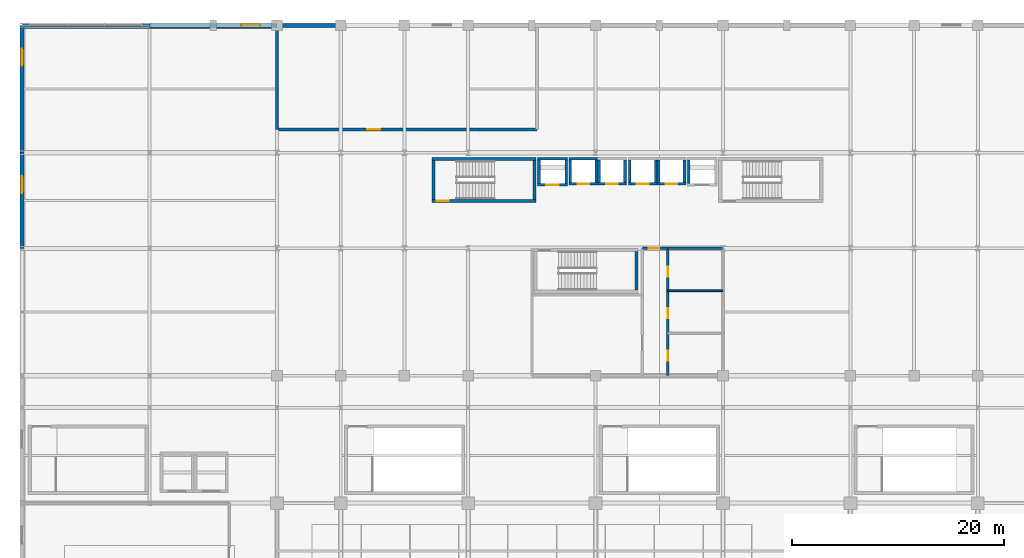
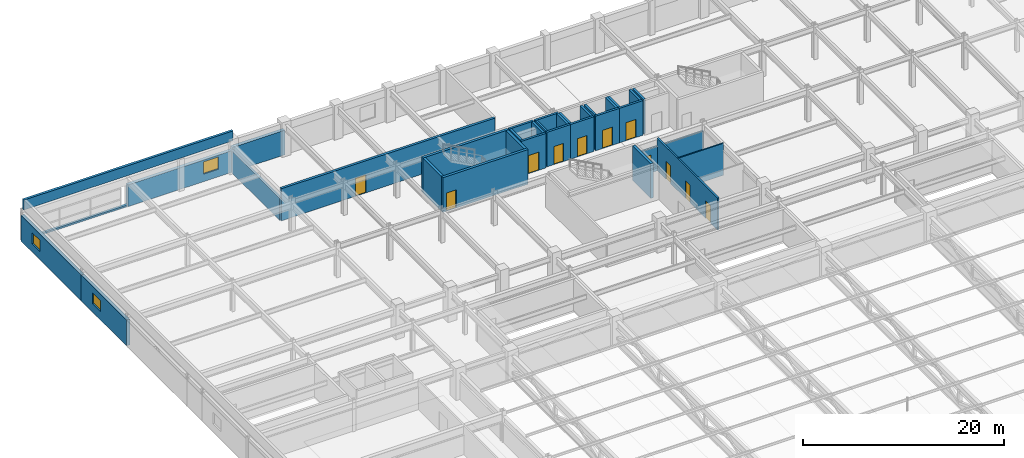
# One storey, part 94 of 108: 35 walls, 11 doors, 3 windows, 14 openings.
"""IFC4 building model written with IfcOpenShell, lengths in metres."""

from ifc_helpers import new_model, si_unit, direction, frame, frame_2d, origin, place, context, subcontext, project, spatial, rectangle, extrude, material, layer, layer_set, type_object, element, fill, save


model = new_model("IFC4")

# Units and contexts
model_context = context("Model", 3, precision=1e-05, world=origin(), true_north=direction((0.0, 1.0)))
body_context = subcontext(model_context, "Body", "Model", "MODEL_VIEW")
ifc_project = project(units=[si_unit("LENGTHUNIT", "METRE"), si_unit("AREAUNIT", "SQUARE_METRE"), si_unit("VOLUMEUNIT", "CUBIC_METRE"), si_unit("PLANEANGLEUNIT", "RADIAN"), si_unit("MASSUNIT", "GRAM", prefix="KILO")], contexts=[model_context])

# Site, building, storey
site_placement = place(None, origin())
site = spatial("IfcSite", under=ifc_project, at=site_placement, CompositionType="ELEMENT")
building_placement = place(site_placement, origin())
building = spatial("IfcBuilding", under=site, at=building_placement, Name="Kaldorvane Square Convention Centre", CompositionType="ELEMENT")
storey_placement = place(building_placement, frame((0.0, 0.0, 23.399993896484375)))
storey = spatial("IfcBuildingStorey", under=building, at=storey_placement, Name="L04", CompositionType="ELEMENT", Elevation=23.399993896484375)

# Wall, opening, door
ifc_material_1 = material(Name="Reinforced Concrete Masonry Acoustic Partition", Category="masonry")
ifc_layer_1 = layer(ifc_material_1, 0.279998779296875)
ifc_layer_set_1 = layer_set([ifc_layer_1], Name="Reinforced Concrete Masonry Acoustic Partition")
wall_type_1 = type_object("IfcWallType", Name="WL-ACO-280", PredefinedType="PARTITIONING", material=ifc_layer_set_1)
wall_1_placement = place(storey_placement, frame((24.0, 107.19999694824219, 0.0), z_axis=(0.0, 0.0, 1.0), x_axis=(1.0, 0.0, 0.0)))
wall_1 = element("IfcWall", 1, at=wall_1_placement, inside=storey, type_object=wall_type_1, Name="Hotel Transfer Mechanical Plant Room S Wall", PredefinedType="PARTITIONING", context=body_context, shape_type="SweptSolid", body=[
    extrude(rectangle(XDim=24.5, YDim=0.279998779296875, at=frame_2d((12.25, 0.0))), origin(), (0.0, 0.0, 1.0), 3.8899993896484375),
])
opening_1_placement = place(wall_1_placement, frame((8.5, 0.0, 0.0)))
opening_1 = element("IfcOpeningElement", 2, at=opening_1_placement, cuts=wall_1, Name="Opening ID-14", PredefinedType="OPENING", context=body_context, shape_type="SweptSolid", body=[
    extrude(rectangle(XDim=1.1999969482421875, YDim=2.1999969482421875, at=frame_2d((0.600006103515625, 1.100006103515625))), frame((0.0, 0.154998779296875, 0.0), z_axis=(0.0, -1.0, 0.0), x_axis=(1.0, 0.0, 0.0)), (0.0, 0.0, 1.0), 0.30999755859375),
])
ifc_material_2 = material(Name="Insulated Hollow Metal Steel", Category="steel")
door_type_1 = type_object("IfcDoorType", Name="DR-PLANT-1200X2200", OperationType="SINGLE_SWING_LEFT", PredefinedType="DOOR", material=ifc_material_2)
door_1_placement = place(opening_1_placement, origin())
door_1 = element("IfcDoor", 3, at=door_1_placement, inside=storey, type_object=door_type_1, Name="Hotel Transfer Mechanical Plant Room Door 1", OperationType="SINGLE_SWING_LEFT", OverallHeight=2.1999969482421875, OverallWidth=1.1999969482421875, PredefinedType="DOOR", context=body_context, shape_type="SweptSolid", body=[
    extrude(rectangle(XDim=1.1999969482421875, YDim=2.1999969482421875, at=frame_2d((0.600006103515625, 1.100006103515625))), frame((0.0, 0.024993896484375, 0.0), z_axis=(0.0, -1.0, 0.0), x_axis=(1.0, 0.0, 0.0)), (0.0, 0.0, 1.0), 0.0500030517578125),
])
fill(opening_1, door_1)

# Wall
wall_2_placement = place(storey_placement, frame((24.0, 116.80999755859375, 0.0), z_axis=(0.0, 0.0, 1.0), x_axis=(0.0, -1.0, 0.0)))
element("IfcWall", 4, at=wall_2_placement, inside=storey, type_object=wall_type_1, Name="Hotel Transfer Mechanical Plant Room W Wall", PredefinedType="PARTITIONING", context=body_context, shape_type="SweptSolid", body=[
    extrude(rectangle(XDim=9.610000610351562, YDim=0.279998779296875, at=frame_2d((4.80499267578125, 0.0))), origin(), (0.0, 0.0, 1.0), 2.6800079345703125),
])

# Wall, opening, door
ifc_material_3 = material(Name="Fire-Rated Gypsum Board on Acoustic Steel Studs", Category="steel")
ifc_layer_2 = layer(ifc_material_3, 0.1999969482421875)
ifc_layer_set_2 = layer_set([ifc_layer_2], Name="Fire-Rated Gypsum Board on Acoustic Steel Studs")
wall_type_2 = type_object("IfcWallType", Name="WL-CORR-200", PredefinedType="PARTITIONING", material=ifc_layer_set_2)
wall_3_placement = place(storey_placement, frame((58.399993896484375, 96.0, 0.0), z_axis=(0.0, 0.0, 1.0), x_axis=(1.0, 0.0, 0.0)))
wall_3 = element("IfcWall", 5, at=wall_3_placement, inside=storey, type_object=wall_type_2, Name="Restroom Vestibule Entry Header (L04)", PredefinedType="PARTITIONING", context=body_context, shape_type="SweptSolid", body=[
    extrude(rectangle(XDim=2.4000091552734375, YDim=0.1999969482421875, at=frame_2d((1.20001220703125, 0.0))), origin(), (0.0, 0.0, 1.0), 2.9589996337890625),
])
opening_2_placement = place(wall_3_placement, frame((0.625, 0.0, 0.0)))
opening_2 = element("IfcOpeningElement", 6, at=opening_2_placement, cuts=wall_3, Name="Opening ID-13", PredefinedType="OPENING", context=body_context, shape_type="SweptSolid", body=[
    extrude(rectangle(XDim=0.9499969482421875, YDim=2.149993896484375, at=frame_2d((0.475006103515625, 1.0749969482421875))), frame((0.0, 0.114990234375, 0.0), z_axis=(0.0, -1.0, 0.0), x_axis=(1.0, 0.0, 0.0)), (0.0, 0.0, 1.0), 0.2299957275390625),
])
ifc_material_4 = material(Name="Architectural Solid-Core White Oak")
door_type_2 = type_object("IfcDoorType", Name="DR-WC-0950X2150", OperationType="SINGLE_SWING_LEFT", PredefinedType="DOOR", material=ifc_material_4)
door_2_placement = place(opening_2_placement, origin())
door_2 = element("IfcDoor", 7, at=door_2_placement, inside=storey, type_object=door_type_2, Name="Restroom Vestibule Door (L04)", OperationType="SINGLE_SWING_LEFT", OverallHeight=2.149993896484375, OverallWidth=0.9499969482421875, PredefinedType="DOOR", context=body_context, shape_type="SweptSolid", body=[
    extrude(rectangle(XDim=0.9499969482421875, YDim=2.149993896484375, at=frame_2d((0.475006103515625, 1.0749969482421875))), frame((0.0, 0.024993896484375, 0.0), z_axis=(0.0, -1.0, 0.0), x_axis=(1.0, 0.0, 0.0)), (0.0, 0.0, 1.0), 0.0500030517578125),
])
fill(opening_2, door_2)

# Wall, openings, doors
wall_4_placement = place(storey_placement, frame((60.80000305175781, 84.0, 0.0), z_axis=(0.0, 0.0, 1.0), x_axis=(0.0, 1.0, 0.0)))
wall_4 = element("IfcWall", 8, at=wall_4_placement, inside=storey, type_object=wall_type_2, Name="Restroom Vestibule East Wall (L04)", PredefinedType="PARTITIONING", context=body_context, shape_type="SweptSolid", body=[
    extrude(rectangle(XDim=12.0, YDim=0.1999969482421875, at=frame_2d((6.0, 0.0))), origin(), (0.0, 0.0, 1.0), 3.8899993896484375),
])
opening_3_placement = place(wall_4_placement, frame((1.399993896484375, 0.0, 0.0)))
opening_3 = element("IfcOpeningElement", 9, at=opening_3_placement, cuts=wall_4, Name="Opening ID-13", PredefinedType="OPENING", context=body_context, shape_type="SweptSolid", body=[
    extrude(rectangle(XDim=0.9499969482421875, YDim=2.149993896484375, at=frame_2d((0.475006103515625, 1.0749969482421875))), frame((0.0, 0.114990234375, 0.0), z_axis=(0.0, -1.0, 0.0), x_axis=(1.0, 0.0, 0.0)), (0.0, 0.0, 1.0), 0.2299957275390625),
])
opening_4_placement = place(wall_4_placement, frame((5.399993896484375, 0.0, 0.0)))
opening_4 = element("IfcOpeningElement", 10, at=opening_4_placement, cuts=wall_4, Name="Opening ID-13", PredefinedType="OPENING", context=body_context, shape_type="SweptSolid", body=[
    extrude(rectangle(XDim=0.9499969482421875, YDim=2.149993896484375, at=frame_2d((0.475006103515625, 1.0749969482421875))), frame((0.0, 0.114990234375, 0.0), z_axis=(0.0, -1.0, 0.0), x_axis=(1.0, 0.0, 0.0)), (0.0, 0.0, 1.0), 0.2299957275390625),
])
opening_5_placement = place(wall_4_placement, frame((9.300003051757812, 0.0, 0.0)))
opening_5 = element("IfcOpeningElement", 11, at=opening_5_placement, cuts=wall_4, Name="Opening ID-13", PredefinedType="OPENING", context=body_context, shape_type="SweptSolid", body=[
    extrude(rectangle(XDim=0.9499969482421875, YDim=2.149993896484375, at=frame_2d((0.475006103515625, 1.0749969482421875))), frame((0.0, 0.114990234375, 0.0), z_axis=(0.0, -1.0, 0.0), x_axis=(1.0, 0.0, 0.0)), (0.0, 0.0, 1.0), 0.2299957275390625),
])
door_3_placement = place(opening_3_placement, origin())
door_3 = element("IfcDoor", 12, at=door_3_placement, inside=storey, type_object=door_type_2, Name="Accessible Restroom Door (L04)", OperationType="SINGLE_SWING_LEFT", OverallHeight=2.149993896484375, OverallWidth=0.9499969482421875, PredefinedType="DOOR", context=body_context, shape_type="SweptSolid", body=[
    extrude(rectangle(XDim=0.9499969482421875, YDim=2.149993896484375, at=frame_2d((0.475006103515625, 1.0749969482421875))), frame((0.0, 0.024993896484375, 0.0), z_axis=(0.0, -1.0, 0.0), x_axis=(1.0, 0.0, 0.0)), (0.0, 0.0, 1.0), 0.0500030517578125),
])
fill(opening_3, door_3)
door_4_placement = place(opening_4_placement, origin())
door_4 = element("IfcDoor", 13, at=door_4_placement, inside=storey, type_object=door_type_2, Name="Men's Restroom Door (L04)", OperationType="SINGLE_SWING_LEFT", OverallHeight=2.149993896484375, OverallWidth=0.9499969482421875, PredefinedType="DOOR", context=body_context, shape_type="SweptSolid", body=[
    extrude(rectangle(XDim=0.9499969482421875, YDim=2.149993896484375, at=frame_2d((0.475006103515625, 1.0749969482421875))), frame((0.0, 0.024993896484375, 0.0), z_axis=(0.0, -1.0, 0.0), x_axis=(1.0, 0.0, 0.0)), (0.0, 0.0, 1.0), 0.0500030517578125),
])
fill(opening_4, door_4)
door_5_placement = place(opening_5_placement, origin())
door_5 = element("IfcDoor", 14, at=door_5_placement, inside=storey, type_object=door_type_2, Name="Women's Restroom Door (L04)", OperationType="SINGLE_SWING_LEFT", OverallHeight=2.149993896484375, OverallWidth=0.9499969482421875, PredefinedType="DOOR", context=body_context, shape_type="SweptSolid", body=[
    extrude(rectangle(XDim=0.9499969482421875, YDim=2.149993896484375, at=frame_2d((0.475006103515625, 1.0749969482421875))), frame((0.0, 0.024993896484375, 0.0), z_axis=(0.0, -1.0, 0.0), x_axis=(1.0, 0.0, 0.0)), (0.0, 0.0, 1.0), 0.0500030517578125),
])
fill(opening_5, door_5)

# Wall
wall_5_placement = place(storey_placement, frame((60.80000305175781, 96.0, 0.0), z_axis=(0.0, 0.0, 1.0), x_axis=(1.0, 0.0, 0.0)))
element("IfcWall", 15, at=wall_5_placement, inside=storey, type_object=wall_type_2, Name="Restroom North Wall (L04)", PredefinedType="PARTITIONING", context=body_context, shape_type="SweptSolid", body=[
    extrude(rectangle(XDim=5.1999969482421875, YDim=0.1999969482421875, at=frame_2d((2.600006103515625, 0.0))), origin(), (0.0, 0.0, 1.0), 2.9589996337890625),
])

# Wall, opening, window
ifc_material_5 = material(Name="Concrete f'c = 42 MPa (Normalweight)", Category="concrete")
ifc_layer_3 = layer(ifc_material_5, 0.3800048828125)
ifc_layer_set_3 = layer_set([ifc_layer_3], Name="Concrete f'c = 42 MPa (Normalweight)")
wall_type_3 = type_object("IfcWallType", Name="WL-EXT-380", PredefinedType="STANDARD", material=ifc_layer_set_3)
wall_6_placement = place(storey_placement, frame((24.0, 117.0, 0.0), z_axis=(0.0, 0.0, 1.0), x_axis=(-1.0, 0.0, 0.0)))
wall_6 = element("IfcWall", 16, at=wall_6_placement, inside=storey, type_object=wall_type_3, Name="North Square Brutalist Facade Wall (L04)", PredefinedType="STANDARD", context=body_context, shape_type="SweptSolid", body=[
    extrude(rectangle(XDim=12.0, YDim=0.3800048828125, at=frame_2d((6.0, 0.0))), origin(), (0.0, 0.0, 1.0), 2.626007080078125),
])
opening_6_placement = place(wall_6_placement, frame((1.600006103515625, 0.0, 0.899993896484375)))
opening_6 = element("IfcOpeningElement", 17, at=opening_6_placement, cuts=wall_6, Name="Opening W-22", PredefinedType="OPENING", context=body_context, shape_type="SweptSolid", body=[
    extrude(rectangle(XDim=1.75, YDim=1.5099945068359375, at=frame_2d((0.875, 0.7550048828125))), frame((0.0, 0.2050018310546875, 0.0), z_axis=(0.0, -1.0, 0.0), x_axis=(1.0, 0.0, 0.0)), (0.0, 0.0, 1.0), 0.410003662109375),
])
ifc_material_6 = material(Name="Anodized Aluminum and Low-E Insulated Glazing", Category="aluminium")
window_type_1 = type_object("IfcWindowType", Name="WN-POD-1750X1750", PartitioningType="SINGLE_PANEL", PredefinedType="WINDOW", material=ifc_material_6)
window_1_placement = place(opening_6_placement, origin())
window_1 = element("IfcWindow", 18, at=window_1_placement, inside=storey, type_object=window_type_1, Name="North Facade Window (L04)", OverallHeight=1.5099945068359375, OverallWidth=1.75, PartitioningType="SINGLE_PANEL", PredefinedType="WINDOW", context=body_context, shape_type="SweptSolid", body=[
    extrude(rectangle(XDim=1.75, YDim=1.5099945068359375, at=frame_2d((0.875, 0.7550048828125))), frame((0.0, 0.029998779296875, 0.0), z_axis=(0.0, -1.0, 0.0), x_axis=(1.0, 0.0, 0.0)), (0.0, 0.0, 1.0), 0.05999755859375),
])
fill(opening_6, window_1)

# Wall
wall_7_placement = place(storey_placement, frame((30.0, 117.0, 0.0), z_axis=(0.0, 0.0, 1.0), x_axis=(-1.0, 0.0, 0.0)))
element("IfcWall", 19, at=wall_7_placement, inside=storey, type_object=wall_type_3, Name="North Square Brutalist Facade Wall (L04)", PredefinedType="STANDARD", context=body_context, shape_type="SweptSolid", body=[
    extrude(rectangle(XDim=6.0, YDim=0.3800048828125, at=frame_2d((3.0, 0.0))), origin(), (0.0, 0.0, 1.0), 2.9860076904296875),
])

# Wall, opening, window
wall_8_placement = place(storey_placement, frame((0.0, 105.0, 0.0), z_axis=(0.0, 0.0, 1.0), x_axis=(0.0, -1.0, 0.0)))
wall_8 = element("IfcWall", 20, at=wall_8_placement, inside=storey, type_object=wall_type_3, Name="West Brutalist Facade Wall (L04)", PredefinedType="STANDARD", context=body_context, shape_type="SweptSolid", body=[
    extrude(rectangle(XDim=9.0, YDim=0.3800048828125, at=frame_2d((4.5, 0.0))), origin(), (0.0, 0.0, 1.0), 3.1190032958984375),
])
opening_7_placement = place(wall_8_placement, frame((2.1999969482421875, 0.0, 1.0)))
opening_7 = element("IfcOpeningElement", 21, at=opening_7_placement, cuts=wall_8, Name="Opening W-23", PredefinedType="OPENING", context=body_context, shape_type="SweptSolid", body=[
    extrude(rectangle(XDim=1.600006103515625, YDim=1.3600006103515625, at=frame_2d((0.8000030517578125, 0.67999267578125))), frame((0.0, 0.2050018310546875, 0.0), z_axis=(0.0, -1.0, 0.0), x_axis=(1.0, 0.0, 0.0)), (0.0, 0.0, 1.0), 0.410003662109375),
])
window_type_2 = type_object("IfcWindowType", Name="WN-POD-1600X1650", PartitioningType="SINGLE_PANEL", PredefinedType="WINDOW", material=ifc_material_6)
window_2_placement = place(opening_7_placement, origin())
window_2 = element("IfcWindow", 22, at=window_2_placement, inside=storey, type_object=window_type_2, Name="West Facade Window (L04)", OverallHeight=1.3600006103515625, OverallWidth=1.600006103515625, PartitioningType="SINGLE_PANEL", PredefinedType="WINDOW", context=body_context, shape_type="SweptSolid", body=[
    extrude(rectangle(XDim=1.600006103515625, YDim=1.3600006103515625, at=frame_2d((0.8000030517578125, 0.67999267578125))), frame((0.0, 0.029998779296875, 0.0), z_axis=(0.0, -1.0, 0.0), x_axis=(1.0, 0.0, 0.0)), (0.0, 0.0, 1.0), 0.05999755859375),
])
fill(opening_7, window_2)

wall_9_placement = place(storey_placement, frame((0.0, 117.0, 0.0), z_axis=(0.0, 0.0, 1.0), x_axis=(0.0, -1.0, 0.0)))
wall_9 = element("IfcWall", 23, at=wall_9_placement, inside=storey, type_object=wall_type_3, Name="West Brutalist Facade Wall (L04)", PredefinedType="STANDARD", context=body_context, shape_type="SweptSolid", body=[
    extrude(rectangle(XDim=12.0, YDim=0.3800048828125, at=frame_2d((6.0, 0.0))), origin(), (0.0, 0.0, 1.0), 3.1190032958984375),
])
opening_8_placement = place(wall_9_placement, frame((2.1999969482421875, 0.0, 1.0)))
opening_8 = element("IfcOpeningElement", 24, at=opening_8_placement, cuts=wall_9, Name="Opening W-23", PredefinedType="OPENING", context=body_context, shape_type="SweptSolid", body=[
    extrude(rectangle(XDim=1.600006103515625, YDim=1.3600006103515625, at=frame_2d((0.8000030517578125, 0.67999267578125))), frame((0.0, 0.2050018310546875, 0.0), z_axis=(0.0, -1.0, 0.0), x_axis=(1.0, 0.0, 0.0)), (0.0, 0.0, 1.0), 0.410003662109375),
])
window_3_placement = place(opening_8_placement, origin())
window_3 = element("IfcWindow", 25, at=window_3_placement, inside=storey, type_object=window_type_2, Name="West Facade Window (L04)", OverallHeight=1.3600006103515625, OverallWidth=1.600006103515625, PartitioningType="SINGLE_PANEL", PredefinedType="WINDOW", context=body_context, shape_type="SweptSolid", body=[
    extrude(rectangle(XDim=1.600006103515625, YDim=1.3600006103515625, at=frame_2d((0.8000030517578125, 0.67999267578125))), frame((0.0, 0.029998779296875, 0.0), z_axis=(0.0, -1.0, 0.0), x_axis=(1.0, 0.0, 0.0)), (0.0, 0.0, 1.0), 0.05999755859375),
])
fill(opening_8, window_3)

# Walls
ifc_material_7 = material(Name="Concrete f'c = 35 MPa (Normalweight)", Category="concrete")
ifc_layer_4 = layer(ifc_material_7, 0.279998779296875)
ifc_layer_set_4 = layer_set([ifc_layer_4], Name="Concrete f'c = 35 MPa (Normalweight)")
wall_type_4 = type_object("IfcWallType", Name="WL-PAR-280", PredefinedType="PARAPET", material=ifc_layer_set_4)
wall_10_placement = place(storey_placement, frame((12.0, 117.0, 0.0), z_axis=(0.0, 0.0, 1.0), x_axis=(-1.0, 0.0, 0.0)))
element("IfcWall", 26, at=wall_10_placement, inside=storey, type_object=wall_type_4, Name="North Curtain-Wall Sill Kerb (L04)", PredefinedType="PARAPET", context=body_context, shape_type="SweptSolid", body=[
    extrude(rectangle(XDim=12.0, YDim=0.279998779296875, at=frame_2d((6.0, 0.0))), origin(), (0.0, 0.0, 1.0), 0.20001220703125),
])
wall_11_placement = place(storey_placement, frame((24.0, 116.86000061035156, 3.850006103515625), z_axis=(0.0, 0.0, 1.0), x_axis=(-1.0, 0.0, 0.0)))
element("IfcWall", 27, at=wall_11_placement, inside=storey, type_object=wall_type_4, Name="Podium Roof Parapet NW", PredefinedType="PARAPET", context=body_context, shape_type="SweptSolid", body=[
    extrude(rectangle(XDim=24.0, YDim=0.279998779296875, at=frame_2d((12.0, 0.0))), origin(), (0.0, 0.0, 1.0), 1.1999969482421875),
])
ifc_layer_5 = layer(ifc_material_3, 0.149993896484375)
ifc_layer_set_5 = layer_set([ifc_layer_5], Name="Fire-Rated Gypsum Board on Acoustic Steel Studs")
wall_type_5 = type_object("IfcWallType", Name="WL-PART-150", PredefinedType="PARTITIONING", material=ifc_layer_set_5)
wall_12_placement = place(storey_placement, frame((60.80000305175781, 92.0, 0.0), z_axis=(0.0, 0.0, 1.0), x_axis=(1.0, 0.0, 0.0)))
element("IfcWall", 28, at=wall_12_placement, inside=storey, type_object=wall_type_5, Name="Restroom Partition 2 (L04)", PredefinedType="PARTITIONING", context=body_context, shape_type="SweptSolid", body=[
    extrude(rectangle(XDim=5.1999969482421875, YDim=0.149993896484375, at=frame_2d((2.600006103515625, 0.0))), origin(), (0.0, 0.0, 1.0), 3.8899993896484375),
])

# Wall, opening, door
ifc_material_8 = material(Name="Concrete f'c = 55 MPa (Normalweight)", Category="concrete")
ifc_layer_6 = layer(ifc_material_8, 0.3000030517578125)
ifc_layer_set_6 = layer_set([ifc_layer_6], Name="Concrete f'c = 55 MPa (Normalweight)")
wall_type_6 = type_object("IfcWallType", Name="WL-SHAFT-300", PredefinedType="SHEAR", material=ifc_layer_set_6)
wall_13_placement = place(storey_placement, frame((38.600006103515625, 100.46000671386719, 0.0), z_axis=(0.0, 0.0, 1.0), x_axis=(1.0, 0.0, 0.0)))
wall_13 = element("IfcWall", 29, at=wall_13_placement, inside=storey, type_object=wall_type_6, Name="Core Enclosure Wall stair:ST-T1-S (L04)", PredefinedType="SHEAR", context=body_context, shape_type="SweptSolid", body=[
    extrude(rectangle(XDim=9.79998779296875, YDim=0.3000030517578125, at=frame_2d((4.899993896484375, 0.0))), origin(), (0.0, 0.0, 1.0), 4.20001220703125),
])
opening_9_placement = place(wall_13_placement, frame((0.4499969482421875, 0.0, 0.0)))
opening_9 = element("IfcOpeningElement", 30, at=opening_9_placement, cuts=wall_13, Name="Opening FD90-S1", PredefinedType="OPENING", context=body_context, shape_type="SweptSolid", body=[
    extrude(rectangle(XDim=1.100006103515625, YDim=2.1999969482421875, at=frame_2d((0.5500030517578125, 1.100006103515625))), frame((0.0, 0.165008544921875, 0.0), z_axis=(0.0, -1.0, 0.0), x_axis=(1.0, 0.0, 0.0)), (0.0, 0.0, 1.0), 0.3300018310546875),
])
ifc_material_9 = material(Name="Fire-Rated Hollow Metal Steel", Category="steel")
door_type_3 = type_object("IfcDoorType", Name="DR-STAIR-1100", OperationType="SINGLE_SWING_RIGHT", PredefinedType="DOOR", material=ifc_material_9)
door_6_placement = place(opening_9_placement, origin())
door_6 = element("IfcDoor", 31, at=door_6_placement, inside=storey, type_object=door_type_3, Name="Tower Exit Stair T1 Fire Door (L04)", OperationType="SINGLE_SWING_RIGHT", OverallHeight=2.1999969482421875, OverallWidth=1.100006103515625, PredefinedType="DOOR", context=body_context, shape_type="SweptSolid", body=[
    extrude(rectangle(XDim=1.100006103515625, YDim=2.1999969482421875, at=frame_2d((0.5500030517578125, 1.100006103515625))), frame((0.0, 0.024993896484375, 0.0), z_axis=(0.0, -1.0, 0.0), x_axis=(1.0, 0.0, 0.0)), (0.0, 0.0, 1.0), 0.0500030517578125),
])
fill(opening_9, door_6)

# Walls
wall_14_placement = place(storey_placement, frame((48.399993896484375, 104.39999389648438, 0.0), z_axis=(0.0, 0.0, 1.0), x_axis=(-1.0, 0.0, 0.0)))
element("IfcWall", 32, at=wall_14_placement, inside=storey, type_object=wall_type_6, Name="Core Enclosure Wall stair:ST-T1-N (L04)", PredefinedType="SHEAR", context=body_context, shape_type="SweptSolid", body=[
    extrude(rectangle(XDim=9.79998779296875, YDim=0.3000030517578125, at=frame_2d((4.899993896484375, 0.0))), origin(), (0.0, 0.0, 1.0), 4.20001220703125),
])
for number, where, z_axis, x_axis, name in (
    (33, (38.75, 104.25, 0.0), (0.0, 0.0, 1.0), (0.0, -1.0, 0.0), "Core Enclosure Wall stair:ST-T1-W (L04)"),
    (34, (48.25, 100.61000061035156, 0.0), (0.0, 0.0, 1.0), (0.0, 1.0, 0.0), "Core Enclosure Wall stair:ST-T1-E (L04)"),
    (35, (57.850006103515625, 92.05999755859375, 0.0), (0.0, 0.0, 1.0), (0.0, 1.0, 0.0), "Core Enclosure Wall stair:ST-T3-E (L04)"),
):
    element("IfcWall", number, at=place(storey_placement, frame(where, z_axis=z_axis, x_axis=x_axis)), inside=storey, type_object=wall_type_6, Name=name, PredefinedType="SHEAR", context=body_context, shape_type="SweptSolid", body=[
        extrude(rectangle(XDim=3.6399993896484375, YDim=0.3000030517578125, at=frame_2d((1.82000732421875, 0.0))), origin(), (0.0, 0.0, 1.0), 4.20001220703125),
    ])

# Wall, opening, door
wall_15_placement = place(storey_placement, frame((48.55000305175781, 101.97500610351562, 0.0), z_axis=(0.0, 0.0, 1.0), x_axis=(1.0, 0.0, 0.0)))
wall_15 = element("IfcWall", 36, at=wall_15_placement, inside=storey, type_object=wall_type_6, Name="Core Enclosure Wall lift:FSAE-01-S (L04)", PredefinedType="SHEAR", context=body_context, shape_type="SweptSolid", body=[
    extrude(rectangle(XDim=2.8000030517578125, YDim=0.25, at=frame_2d((1.399993896484375, 0.0))), origin(), (0.0, 0.0, 1.0), 4.20001220703125),
])
opening_10_placement = place(wall_15_placement, frame((0.8000030517578125, 0.0, 0.0)))
opening_10 = element("IfcOpeningElement", 37, at=opening_10_placement, cuts=wall_15, Name="Opening LD-02", PredefinedType="OPENING", context=body_context, shape_type="SweptSolid", body=[
    extrude(rectangle(XDim=1.1999969482421875, YDim=2.1999969482421875, at=frame_2d((0.600006103515625, 1.100006103515625))), frame((0.0, 0.1399993896484375, 0.0), z_axis=(0.0, -1.0, 0.0), x_axis=(1.0, 0.0, 0.0)), (0.0, 0.0, 1.0), 0.279998779296875),
])
ifc_material_10 = material(Name="Stainless Steel Elevator Door Assembly", Category="steel")
door_type_4 = type_object("IfcDoorType", Name="DR-LIFT-1200", OperationType="DOUBLE_DOOR_SLIDING", PredefinedType="DOOR", material=ifc_material_10)
door_7_placement = place(opening_10_placement, origin())
door_7 = element("IfcDoor", 38, at=door_7_placement, inside=storey, type_object=door_type_4, Name="Elevator Landing Door FSAE-01 (L04)", OperationType="DOUBLE_DOOR_SLIDING", OverallHeight=2.1999969482421875, OverallWidth=1.1999969482421875, PredefinedType="DOOR", context=body_context, shape_type="SweptSolid", body=[
    extrude(rectangle(XDim=1.1999969482421875, YDim=2.1999969482421875, at=frame_2d((0.600006103515625, 1.100006103515625))), frame((0.0, 0.024993896484375, 0.0), z_axis=(0.0, -1.0, 0.0), x_axis=(1.0, 0.0, 0.0)), (0.0, 0.0, 1.0), 0.0500030517578125),
])
fill(opening_10, door_7)

# Walls
wall_16_placement = place(storey_placement, frame((51.350006103515625, 104.42500305175781, 0.0), z_axis=(0.0, 0.0, 1.0), x_axis=(-1.0, 0.0, 0.0)))
element("IfcWall", 39, at=wall_16_placement, inside=storey, type_object=wall_type_6, Name="Core Enclosure Wall lift:FSAE-01-N (L04)", PredefinedType="SHEAR", context=body_context, shape_type="SweptSolid", body=[
    extrude(rectangle(XDim=2.8000030517578125, YDim=0.25, at=frame_2d((1.399993896484375, 0.0))), origin(), (0.0, 0.0, 1.0), 4.20001220703125),
])
for number, where, z_axis, x_axis, name in (
    (40, (48.67500305175781, 104.30000305175781, 0.0), (0.0, 0.0, 1.0), (0.0, -1.0, 0.0), "Core Enclosure Wall lift:FSAE-01-W (L04)"),
    (41, (51.225006103515625, 102.10000610351562, 0.0), (0.0, 0.0, 1.0), (0.0, 1.0, 0.0), "Core Enclosure Wall lift:FSAE-01-E (L04)"),
    (42, (62.774993896484375, 104.30000305175781, 0.0), (0.0, 0.0, 1.0), (0.0, -1.0, 0.0), "Core Enclosure Wall lift:FSAE-02-W (L04)"),
):
    element("IfcWall", number, at=place(storey_placement, frame(where, z_axis=z_axis, x_axis=x_axis)), inside=storey, type_object=wall_type_6, Name=name, PredefinedType="SHEAR", context=body_context, shape_type="SweptSolid", body=[
        extrude(rectangle(XDim=2.1999969482421875, YDim=0.25, at=frame_2d((1.100006103515625, 0.0))), origin(), (0.0, 0.0, 1.0), 4.20001220703125),
    ])

# Wall, opening, door
wall_17_placement = place(storey_placement, frame((51.5, 102.07499694824219, 0.0), z_axis=(0.0, 0.0, 1.0), x_axis=(1.0, 0.0, 0.0)))
wall_17 = element("IfcWall", 43, at=wall_17_placement, inside=storey, type_object=wall_type_6, Name="Core Enclosure Wall lift:EL-P1-S (L04)", PredefinedType="SHEAR", context=body_context, shape_type="SweptSolid", body=[
    extrude(rectangle(XDim=2.6999969482421875, YDim=0.25, at=frame_2d((1.350006103515625, 0.0))), origin(), (0.0, 0.0, 1.0), 4.20001220703125),
])
opening_11_placement = place(wall_17_placement, frame((0.8000030517578125, 0.0, 0.0)))
opening_11 = element("IfcOpeningElement", 44, at=opening_11_placement, cuts=wall_17, Name="Opening LD-01", PredefinedType="OPENING", context=body_context, shape_type="SweptSolid", body=[
    extrude(rectangle(XDim=1.100006103515625, YDim=2.1999969482421875, at=frame_2d((0.5500030517578125, 1.100006103515625))), frame((0.0, 0.1399993896484375, 0.0), z_axis=(0.0, -1.0, 0.0), x_axis=(1.0, 0.0, 0.0)), (0.0, 0.0, 1.0), 0.279998779296875),
])
door_type_5 = type_object("IfcDoorType", Name="DR-LIFT-1100", OperationType="DOUBLE_DOOR_SLIDING", PredefinedType="DOOR", material=ifc_material_10)
door_8_placement = place(opening_11_placement, origin())
door_8 = element("IfcDoor", 45, at=door_8_placement, inside=storey, type_object=door_type_5, Name="Elevator Landing Door EL-P1 (L04)", OperationType="DOUBLE_DOOR_SLIDING", OverallHeight=2.1999969482421875, OverallWidth=1.100006103515625, PredefinedType="DOOR", context=body_context, shape_type="SweptSolid", body=[
    extrude(rectangle(XDim=1.100006103515625, YDim=2.1999969482421875, at=frame_2d((0.5500030517578125, 1.100006103515625))), frame((0.0, 0.024993896484375, 0.0), z_axis=(0.0, -1.0, 0.0), x_axis=(1.0, 0.0, 0.0)), (0.0, 0.0, 1.0), 0.0500030517578125),
])
fill(opening_11, door_8)

# Walls
wall_18_placement = place(storey_placement, frame((54.19999694824219, 104.42500305175781, 0.0), z_axis=(0.0, 0.0, 1.0), x_axis=(-1.0, 0.0, 0.0)))
element("IfcWall", 46, at=wall_18_placement, inside=storey, type_object=wall_type_6, Name="Core Enclosure Wall lift:EL-P1-N (L04)", PredefinedType="SHEAR", context=body_context, shape_type="SweptSolid", body=[
    extrude(rectangle(XDim=2.6999969482421875, YDim=0.25, at=frame_2d((1.350006103515625, 0.0))), origin(), (0.0, 0.0, 1.0), 4.20001220703125),
])
for number, where, z_axis, x_axis, name in (
    (47, (51.625, 104.30000305175781, 0.0), (0.0, 0.0, 1.0), (0.0, -1.0, 0.0), "Core Enclosure Wall lift:EL-P1-W (L04)"),
    (48, (54.07499694824219, 102.19999694824219, 0.0), (0.0, 0.0, 1.0), (0.0, 1.0, 0.0), "Core Enclosure Wall lift:EL-P1-E (L04)"),
):
    element("IfcWall", number, at=place(storey_placement, frame(where, z_axis=z_axis, x_axis=x_axis)), inside=storey, type_object=wall_type_6, Name=name, PredefinedType="SHEAR", context=body_context, shape_type="SweptSolid", body=[
        extrude(rectangle(XDim=2.100006103515625, YDim=0.25, at=frame_2d((1.0500030517578125, 0.0))), origin(), (0.0, 0.0, 1.0), 4.20001220703125),
    ])

# Wall, opening, door
wall_19_placement = place(storey_placement, frame((54.19999694824219, 102.07499694824219, 0.0), z_axis=(0.0, 0.0, 1.0), x_axis=(1.0, 0.0, 0.0)))
wall_19 = element("IfcWall", 49, at=wall_19_placement, inside=storey, type_object=wall_type_6, Name="Core Enclosure Wall lift:EL-P2-S (L04)", PredefinedType="SHEAR", context=body_context, shape_type="SweptSolid", body=[
    extrude(rectangle(XDim=2.6999969482421875, YDim=0.25, at=frame_2d((1.350006103515625, 0.0))), origin(), (0.0, 0.0, 1.0), 4.20001220703125),
])
opening_12_placement = place(wall_19_placement, frame((0.8000030517578125, 0.0, 0.0)))
opening_12 = element("IfcOpeningElement", 50, at=opening_12_placement, cuts=wall_19, Name="Opening LD-01", PredefinedType="OPENING", context=body_context, shape_type="SweptSolid", body=[
    extrude(rectangle(XDim=1.100006103515625, YDim=2.1999969482421875, at=frame_2d((0.5500030517578125, 1.100006103515625))), frame((0.0, 0.1399993896484375, 0.0), z_axis=(0.0, -1.0, 0.0), x_axis=(1.0, 0.0, 0.0)), (0.0, 0.0, 1.0), 0.279998779296875),
])
door_9_placement = place(opening_12_placement, origin())
door_9 = element("IfcDoor", 51, at=door_9_placement, inside=storey, type_object=door_type_5, Name="Elevator Landing Door EL-P2 (L04)", OperationType="DOUBLE_DOOR_SLIDING", OverallHeight=2.1999969482421875, OverallWidth=1.100006103515625, PredefinedType="DOOR", context=body_context, shape_type="SweptSolid", body=[
    extrude(rectangle(XDim=1.100006103515625, YDim=2.1999969482421875, at=frame_2d((0.5500030517578125, 1.100006103515625))), frame((0.0, 0.024993896484375, 0.0), z_axis=(0.0, -1.0, 0.0), x_axis=(1.0, 0.0, 0.0)), (0.0, 0.0, 1.0), 0.0500030517578125),
])
fill(opening_12, door_9)

# Walls
for number, where, z_axis, x_axis, name in (
    (52, (54.32499694824219, 104.30000305175781, 0.0), (0.0, 0.0, 1.0), (0.0, -1.0, 0.0), "Core Enclosure Wall lift:EL-P2-W (L04)"),
    (53, (56.774993896484375, 102.19999694824219, 0.0), (0.0, 0.0, 1.0), (0.0, 1.0, 0.0), "Core Enclosure Wall lift:EL-P2-E (L04)"),
):
    element("IfcWall", number, at=place(storey_placement, frame(where, z_axis=z_axis, x_axis=x_axis)), inside=storey, type_object=wall_type_6, Name=name, PredefinedType="SHEAR", context=body_context, shape_type="SweptSolid", body=[
        extrude(rectangle(XDim=2.100006103515625, YDim=0.25, at=frame_2d((1.0500030517578125, 0.0))), origin(), (0.0, 0.0, 1.0), 4.20001220703125),
    ])

# Wall, opening, door
wall_20_placement = place(storey_placement, frame((57.100006103515625, 102.07499694824219, 0.0), z_axis=(0.0, 0.0, 1.0), x_axis=(1.0, 0.0, 0.0)))
wall_20 = element("IfcWall", 54, at=wall_20_placement, inside=storey, type_object=wall_type_6, Name="Core Enclosure Wall lift:EL-P3-S (L04)", PredefinedType="SHEAR", context=body_context, shape_type="SweptSolid", body=[
    extrude(rectangle(XDim=2.6999969482421875, YDim=0.25, at=frame_2d((1.350006103515625, 0.0))), origin(), (0.0, 0.0, 1.0), 4.20001220703125),
])
opening_13_placement = place(wall_20_placement, frame((0.8000030517578125, 0.0, 0.0)))
opening_13 = element("IfcOpeningElement", 55, at=opening_13_placement, cuts=wall_20, Name="Opening LD-01", PredefinedType="OPENING", context=body_context, shape_type="SweptSolid", body=[
    extrude(rectangle(XDim=1.100006103515625, YDim=2.1999969482421875, at=frame_2d((0.5500030517578125, 1.100006103515625))), frame((0.0, 0.1399993896484375, 0.0), z_axis=(0.0, -1.0, 0.0), x_axis=(1.0, 0.0, 0.0)), (0.0, 0.0, 1.0), 0.279998779296875),
])
door_10_placement = place(opening_13_placement, origin())
door_10 = element("IfcDoor", 56, at=door_10_placement, inside=storey, type_object=door_type_5, Name="Elevator Landing Door EL-P3 (L04)", OperationType="DOUBLE_DOOR_SLIDING", OverallHeight=2.1999969482421875, OverallWidth=1.100006103515625, PredefinedType="DOOR", context=body_context, shape_type="SweptSolid", body=[
    extrude(rectangle(XDim=1.100006103515625, YDim=2.1999969482421875, at=frame_2d((0.5500030517578125, 1.100006103515625))), frame((0.0, 0.024993896484375, 0.0), z_axis=(0.0, -1.0, 0.0), x_axis=(1.0, 0.0, 0.0)), (0.0, 0.0, 1.0), 0.0500030517578125),
])
fill(opening_13, door_10)

# Walls
for number, where, z_axis, x_axis, name in (
    (57, (57.225006103515625, 104.30000305175781, 0.0), (0.0, 0.0, 1.0), (0.0, -1.0, 0.0), "Core Enclosure Wall lift:EL-P3-W (L04)"),
    (58, (59.67500305175781, 102.19999694824219, 0.0), (0.0, 0.0, 1.0), (0.0, 1.0, 0.0), "Core Enclosure Wall lift:EL-P3-E (L04)"),
):
    element("IfcWall", number, at=place(storey_placement, frame(where, z_axis=z_axis, x_axis=x_axis)), inside=storey, type_object=wall_type_6, Name=name, PredefinedType="SHEAR", context=body_context, shape_type="SweptSolid", body=[
        extrude(rectangle(XDim=2.100006103515625, YDim=0.25, at=frame_2d((1.0500030517578125, 0.0))), origin(), (0.0, 0.0, 1.0), 4.20001220703125),
    ])

# Wall, opening, door
wall_21_placement = place(storey_placement, frame((59.80000305175781, 102.07499694824219, 0.0), z_axis=(0.0, 0.0, 1.0), x_axis=(1.0, 0.0, 0.0)))
wall_21 = element("IfcWall", 59, at=wall_21_placement, inside=storey, type_object=wall_type_6, Name="Core Enclosure Wall lift:EL-P4-S (L04)", PredefinedType="SHEAR", context=body_context, shape_type="SweptSolid", body=[
    extrude(rectangle(XDim=2.6999969482421875, YDim=0.25, at=frame_2d((1.350006103515625, 0.0))), origin(), (0.0, 0.0, 1.0), 4.20001220703125),
])
opening_14_placement = place(wall_21_placement, frame((0.8000030517578125, 0.0, 0.0)))
opening_14 = element("IfcOpeningElement", 60, at=opening_14_placement, cuts=wall_21, Name="Opening LD-01", PredefinedType="OPENING", context=body_context, shape_type="SweptSolid", body=[
    extrude(rectangle(XDim=1.100006103515625, YDim=2.1999969482421875, at=frame_2d((0.5500030517578125, 1.100006103515625))), frame((0.0, 0.1399993896484375, 0.0), z_axis=(0.0, -1.0, 0.0), x_axis=(1.0, 0.0, 0.0)), (0.0, 0.0, 1.0), 0.279998779296875),
])
door_11_placement = place(opening_14_placement, origin())
door_11 = element("IfcDoor", 61, at=door_11_placement, inside=storey, type_object=door_type_5, Name="Elevator Landing Door EL-P4 (L04)", OperationType="DOUBLE_DOOR_SLIDING", OverallHeight=2.1999969482421875, OverallWidth=1.100006103515625, PredefinedType="DOOR", context=body_context, shape_type="SweptSolid", body=[
    extrude(rectangle(XDim=1.100006103515625, YDim=2.1999969482421875, at=frame_2d((0.5500030517578125, 1.100006103515625))), frame((0.0, 0.024993896484375, 0.0), z_axis=(0.0, -1.0, 0.0), x_axis=(1.0, 0.0, 0.0)), (0.0, 0.0, 1.0), 0.0500030517578125),
])
fill(opening_14, door_11)

# Walls
for number, where, z_axis, x_axis, name in (
    (62, (59.92500305175781, 104.30000305175781, 0.0), (0.0, 0.0, 1.0), (0.0, -1.0, 0.0), "Core Enclosure Wall lift:EL-P4-W (L04)"),
    (63, (62.375, 102.19999694824219, 0.0), (0.0, 0.0, 1.0), (0.0, 1.0, 0.0), "Core Enclosure Wall lift:EL-P4-E (L04)"),
):
    element("IfcWall", number, at=place(storey_placement, frame(where, z_axis=z_axis, x_axis=x_axis)), inside=storey, type_object=wall_type_6, Name=name, PredefinedType="SHEAR", context=body_context, shape_type="SweptSolid", body=[
        extrude(rectangle(XDim=2.100006103515625, YDim=0.25, at=frame_2d((1.0500030517578125, 0.0))), origin(), (0.0, 0.0, 1.0), 4.20001220703125),
    ])

save(model, "model.ifc")
